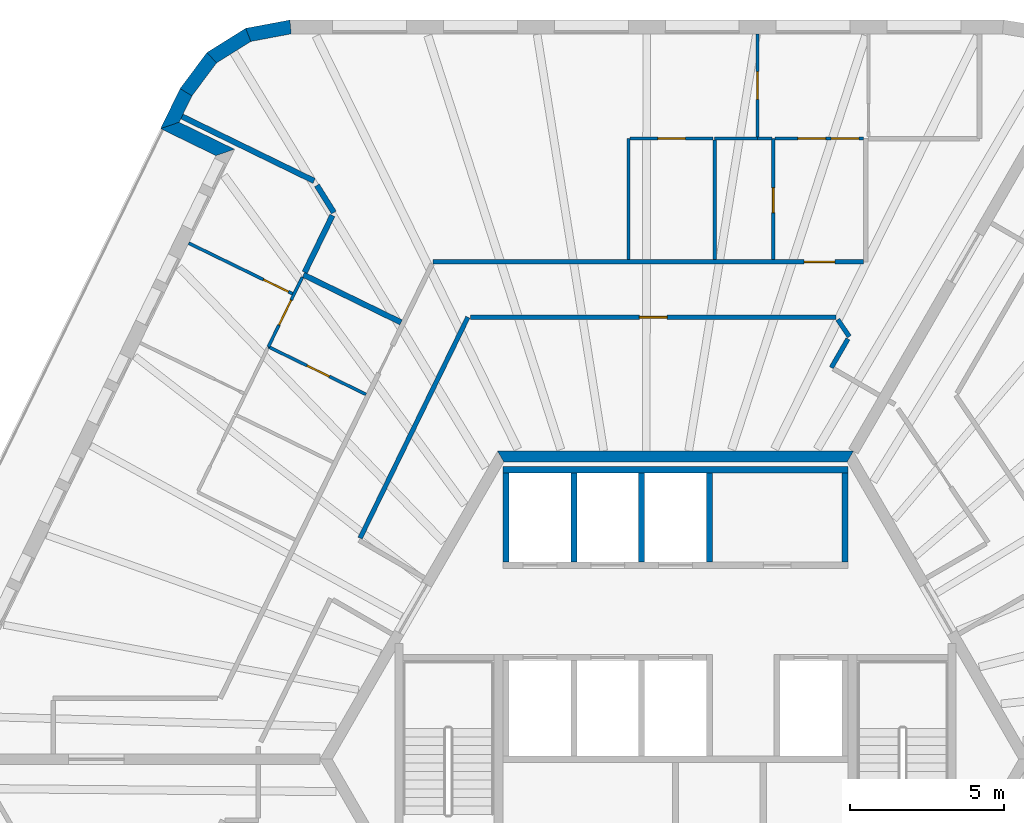
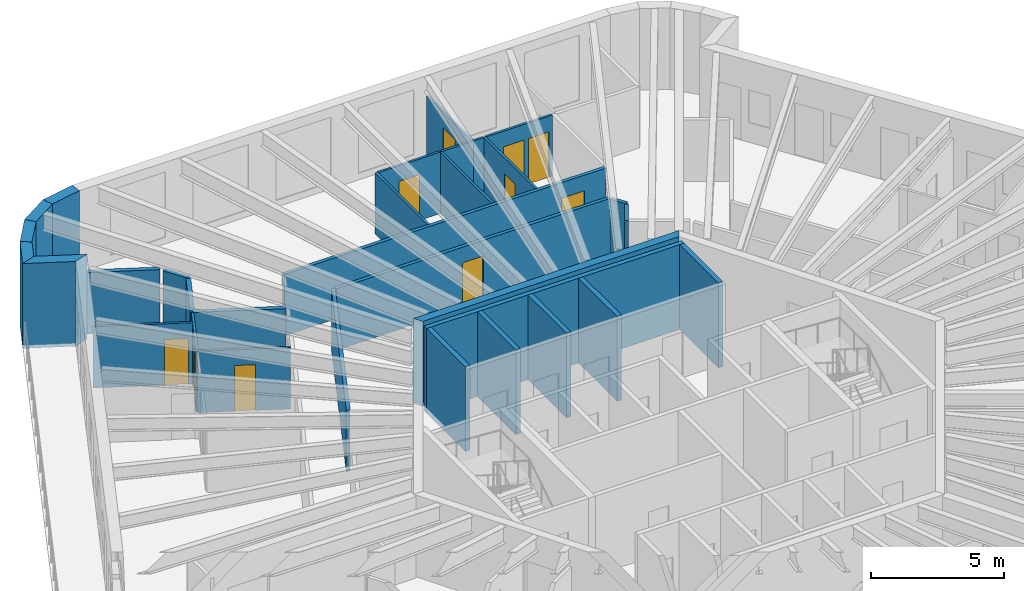
# One storey, part 8 of 11: 32 walls, 10 doors, 10 openings.
"""IFC4 building model written with IfcOpenShell, lengths in metres."""

from ifc_helpers import new_model, si_unit, direction, frame, frame_2d, origin, place, context, subcontext, project, spatial, polyline, rectangle, outline, extrude, material, layer, layer_set, type_object, element, fill, save


model = new_model("IFC4")

# Units and contexts
model_context = context("Model", 3, precision=1e-05, world=origin(), true_north=direction((0.0, 1.0)))
body_context = subcontext(model_context, "Body", "Model", "MODEL_VIEW")
ifc_project = project(units=[si_unit("LENGTHUNIT", "METRE"), si_unit("AREAUNIT", "SQUARE_METRE"), si_unit("VOLUMEUNIT", "CUBIC_METRE"), si_unit("PLANEANGLEUNIT", "RADIAN"), si_unit("MASSUNIT", "GRAM", prefix="KILO")], contexts=[model_context])

# Site, building, storey
site_placement = place(None, origin())
site = spatial("IfcSite", under=ifc_project, at=site_placement, CompositionType="ELEMENT")
building_placement = place(site_placement, origin())
building = spatial("IfcBuilding", under=site, at=building_placement, Name="Tarnside Tower", CompositionType="ELEMENT")
storey_placement = place(building_placement, frame((0.0, 0.0, 357.300048828125)))
storey = spatial("IfcBuildingStorey", under=building, at=storey_placement, Name="L86", CompositionType="ELEMENT", Elevation=357.300048828125)

# Wall
ifc_material_1 = material(Name="Gypsum board partition on steel studs", Category="steel")
ifc_layer_1 = layer(ifc_material_1, 0.10009765625)
ifc_layer_set_1 = layer_set([ifc_layer_1], Name="Bathroom wall 100")
wall_type_1 = type_object("IfcWallType", Name="Bathroom wall 100", PredefinedType="PARTITIONING", material=ifc_layer_set_1)
wall_1_placement = place(storey_placement, frame((1.274658203125, 20.14990234375, 0.0), z_axis=(0.0, 0.0, 1.0), x_axis=(1.0, 0.0, 0.0)))
element("IfcWall", 1, at=wall_1_placement, inside=storey, type_object=wall_type_1, Name="Bathroom wall 27070", PredefinedType="PARTITIONING", context=body_context, shape_type="SweptSolid", body=[
    extrude(rectangle(XDim=1.395751953125, YDim=0.10009765625, at=frame_2d((0.69775390625, 0.0))), origin(), (0.0, 0.0, 1.0), 2.820068359375),
])

# Wall, opening, door
wall_2_placement = place(storey_placement, frame((3.174560546875, 20.14990234375, 0.0), z_axis=(0.0, 0.0, 1.0), x_axis=(0.0, -1.0, 0.0)))
wall_2 = element("IfcWall", 2, at=wall_2_placement, inside=storey, type_object=wall_type_1, Name="Bathroom wall 27078", PredefinedType="PARTITIONING", context=body_context, shape_type="SweptSolid", body=[
    extrude(rectangle(XDim=3.9248046875, YDim=0.10009765625, at=frame_2d((1.96240234375, 0.0))), origin(), (0.0, 0.0, 1.0), 2.820068359375),
])
opening_1_placement = place(wall_2_placement, frame((1.60009765625, 0.0, 0.0)))
opening_1 = element("IfcOpeningElement", 3, at=opening_1_placement, cuts=wall_2, Name="Opening D-B1", PredefinedType="OPENING", context=body_context, shape_type="SweptSolid", body=[
    extrude(rectangle(XDim=0.800048828125, YDim=2.10009765625, at=frame_2d((0.39990234375, 1.050048828125))), frame((0.0, 0.06005859375, 0.0), z_axis=(0.0, -1.0, 0.0), x_axis=(1.0, 0.0, 0.0)), (0.0, 0.0, 1.0), 0.1201171875),
])
ifc_material_2 = material(Name="Timber door leaf", Category="wood")
door_type_1 = type_object("IfcDoorType", Name="Bathroom door 800", OperationType="NOTDEFINED", PredefinedType="DOOR", material=ifc_material_2)
door_1_placement = place(opening_1_placement, origin())
door_1 = element("IfcDoor", 4, at=door_1_placement, inside=storey, type_object=door_type_1, Name="Bathroom door 27002", OperationType="SINGLE_SWING_LEFT", OverallHeight=2.10009765625, OverallWidth=0.800048828125, PredefinedType="DOOR", context=body_context, shape_type="SweptSolid", body=[
    extrude(rectangle(XDim=0.800048828125, YDim=2.10009765625, at=frame_2d((0.39990234375, 1.050048828125))), frame((0.0, 0.02490234375, 0.0), z_axis=(0.0, -1.0, 0.0), x_axis=(1.0, 0.0, 0.0)), (0.0, 0.0, 1.0), 0.050048828125),
])
fill(opening_1, door_1)

# Walls
wall_3_placement = place(storey_placement, frame((3.126708984375, 20.14990234375, 0.0), z_axis=(0.0, 0.0, 1.0), x_axis=(-1.0, 0.0, 0.0)))
element("IfcWall", 5, at=wall_3_placement, inside=storey, type_object=wall_type_1, Name="Bathroom wall 27080", PredefinedType="PARTITIONING", context=body_context, shape_type="SweptSolid", body=[
    extrude(rectangle(XDim=0.458251953125, YDim=0.10009765625, at=frame_2d((0.22900390625, 0.0))), origin(), (0.0, 0.0, 1.0), 2.820068359375),
])
wall_4_placement = place(storey_placement, frame((1.274658203125, 20.10009765625, 0.0), z_axis=(0.0, 0.0, 1.0), x_axis=(0.0, -1.0, 0.0)))
element("IfcWall", 6, at=wall_4_placement, inside=storey, type_object=wall_type_1, Name="Bathroom wall 27081", PredefinedType="PARTITIONING", context=body_context, shape_type="SweptSolid", body=[
    extrude(rectangle(XDim=3.875, YDim=0.10009765625, at=frame_2d((1.9375, 0.0))), origin(), (0.0, 0.0, 1.0), 2.820068359375),
])

# Wall, opening, door
wall_5_placement = place(storey_placement, frame((-13.21728515625, 13.391357421875, 0.0), z_axis=(0.0, 0.0, 1.0), x_axis=(0.898775101867, -0.438409986501, 0.0)))
wall_5 = element("IfcWall", 7, at=wall_5_placement, inside=storey, type_object=wall_type_1, Name="Bathroom wall 27087", PredefinedType="PARTITIONING", context=body_context, shape_type="SweptSolid", body=[
    extrude(rectangle(XDim=3.525146484375, YDim=0.10009765625, at=frame_2d((1.7626953125, 0.0))), origin(), (0.0, 0.0, 1.0), 2.820068359375),
])
opening_2_placement = place(wall_5_placement, frame((1.39990234375, 0.0, 0.0)))
opening_2 = element("IfcOpeningElement", 8, at=opening_2_placement, cuts=wall_5, Name="Opening D-B1", PredefinedType="OPENING", context=body_context, shape_type="SweptSolid", body=[
    extrude(rectangle(XDim=0.800048828125, YDim=2.10009765625, at=frame_2d((0.39990234375, 1.050048828125))), frame((0.0, 0.06005859375, 0.0), z_axis=(0.0, -1.0, 0.0), x_axis=(1.0, 0.0, 0.0)), (0.0, 0.0, 1.0), 0.1201171875),
])
door_2_placement = place(opening_2_placement, origin())
door_2 = element("IfcDoor", 9, at=door_2_placement, inside=storey, type_object=door_type_1, Name="Bathroom door 27012", OperationType="SINGLE_SWING_LEFT", OverallHeight=2.10009765625, OverallWidth=0.800048828125, PredefinedType="DOOR", context=body_context, shape_type="SweptSolid", body=[
    extrude(rectangle(XDim=0.800048828125, YDim=2.10009765625, at=frame_2d((0.39990234375, 1.050048828125))), frame((0.0, 0.02490234375, 0.0), z_axis=(0.0, -1.0, 0.0), x_axis=(1.0, 0.0, 0.0)), (0.0, 0.0, 1.0), 0.050048828125),
])
fill(opening_2, door_2)

# Wall
ifc_material_3 = material(Name="Concrete C50/60", Category="concrete")
ifc_layer_2 = layer(ifc_material_3, 0.35009765625)
ifc_layer_set_2 = layer_set([ifc_layer_2], Name="Core wall Z4 350 C50/60")
wall_type_2 = type_object("IfcWallType", Name="Core wall Z4 350 C50/60", PredefinedType="SHEAR", material=ifc_layer_set_2)
wall_6_placement = place(storey_placement, frame((5.672607421875, 9.824951171875, -0.150146484375), z_axis=(0.0, 0.0, 1.0), x_axis=(-1.0, 0.0, 0.0)))
element("IfcWall", 10, at=wall_6_placement, inside=storey, type_object=wall_type_2, Name="L86 core wall face 1", PredefinedType="SHEAR", context=body_context, shape_type="SweptSolid", body=[
    extrude(outline(polyline([(-0.10107421875, -0.175048828125), (11.4462890625, -0.175048828125), (11.244140625, 0.175048828125), (0.10107421875, 0.175048828125), (-0.10107421875, -0.175048828125)])), origin(), (0.0, 0.0, 1.0), 3.900146484375),
])

# Wall, opening, door
ifc_layer_3 = layer(ifc_material_1, 0.14990234375)
ifc_layer_set_3 = layer_set([ifc_layer_3], Name="Corridor wall 150 EI 60")
wall_type_3 = type_object("IfcWallType", Name="Corridor wall 150 EI 60", PredefinedType="PARTITIONING", material=ifc_layer_set_3)
wall_7_placement = place(storey_placement, frame((6.099609375, 16.14990234375, 0.0), z_axis=(0.0, 0.0, 1.0), x_axis=(-1.0, 0.0, 0.0)))
wall_7 = element("IfcWall", 11, at=wall_7_placement, inside=storey, type_object=wall_type_3, Name="Corridor wall 27001", PredefinedType="PARTITIONING", context=body_context, shape_type="SweptSolid", body=[
    extrude(rectangle(XDim=13.966064453125, YDim=0.14990234375, at=frame_2d((6.98291015625, 0.0))), origin(), (0.0, 0.0, 1.0), 2.820068359375),
])
opening_3_placement = place(wall_7_placement, frame((0.925048828125, 0.0, 0.0)))
opening_3 = element("IfcOpeningElement", 12, at=opening_3_placement, cuts=wall_7, Name="Opening D-E1", PredefinedType="OPENING", context=body_context, shape_type="SweptSolid", body=[
    extrude(rectangle(XDim=1.0, YDim=2.10009765625, at=frame_2d((0.5, 1.050048828125))), frame((0.0, 0.0849609375, 0.0), z_axis=(0.0, -1.0, 0.0), x_axis=(1.0, 0.0, 0.0)), (0.0, 0.0, 1.0), 0.169921875),
])
door_type_2 = type_object("IfcDoorType", Name="Unit entrance door 1000 FD30S", OperationType="NOTDEFINED", PredefinedType="DOOR", material=ifc_material_2)
door_3_placement = place(opening_3_placement, origin())
door_3 = element("IfcDoor", 13, at=door_3_placement, inside=storey, type_object=door_type_2, Name="Unit door 27001", OperationType="SINGLE_SWING_RIGHT", OverallHeight=2.10009765625, OverallWidth=1.0, PredefinedType="DOOR", context=body_context, shape_type="SweptSolid", body=[
    extrude(rectangle(XDim=1.0, YDim=2.10009765625, at=frame_2d((0.5, 1.050048828125))), frame((0.0, 0.02490234375, 0.0), z_axis=(0.0, -1.0, 0.0), x_axis=(1.0, 0.0, 0.0)), (0.0, 0.0, 1.0), 0.050048828125),
])
fill(opening_3, door_3)

# Wall
wall_8_placement = place(storey_placement, frame((-10.23974609375, 7.177734375, 0.0), z_axis=(0.0, 0.0, 1.0), x_axis=(0.438356120288, 0.898801375058, 0.0)))
element("IfcWall", 14, at=wall_8_placement, inside=storey, type_object=wall_type_3, Name="Corridor wall 27019", PredefinedType="PARTITIONING", context=body_context, shape_type="SweptSolid", body=[
    extrude(rectangle(XDim=7.97998046875, YDim=0.14990234375, at=frame_2d((3.989990234375, 0.0))), origin(), (0.0, 0.0, 1.0), 2.820068359375),
])

# Wall, opening, door
wall_9_placement = place(storey_placement, frame((-6.658203125, 14.35009765625, 0.0), z_axis=(0.0, 0.0, 1.0), x_axis=(1.0, 0.0, 0.0)))
wall_9 = element("IfcWall", 15, at=wall_9_placement, inside=storey, type_object=wall_type_3, Name="Corridor wall 27020", PredefinedType="PARTITIONING", context=body_context, shape_type="SweptSolid", body=[
    extrude(rectangle(XDim=11.875732421875, YDim=0.14990234375, at=frame_2d((5.93798828125, 0.0))), origin(), (0.0, 0.0, 1.0), 2.820068359375),
])
opening_4_placement = place(wall_9_placement, frame((5.48779296875, 0.0, 0.0)))
opening_4 = element("IfcOpeningElement", 16, at=opening_4_placement, cuts=wall_9, Name="Opening D-S1", PredefinedType="OPENING", context=body_context, shape_type="SweptSolid", body=[
    extrude(rectangle(XDim=0.89990234375, YDim=2.10009765625, at=frame_2d((0.449951171875, 1.050048828125))), frame((0.0, 0.0849609375, 0.0), z_axis=(0.0, -1.0, 0.0), x_axis=(1.0, 0.0, 0.0)), (0.0, 0.0, 1.0), 0.169921875),
])
door_type_3 = type_object("IfcDoorType", Name="Service room door 900 FD30S", OperationType="NOTDEFINED", PredefinedType="DOOR", material=ifc_material_2)
door_4_placement = place(opening_4_placement, origin())
door_4 = element("IfcDoor", 17, at=door_4_placement, inside=storey, type_object=door_type_3, Name="Service door 27060", OperationType="SINGLE_SWING_RIGHT", OverallHeight=2.10009765625, OverallWidth=0.89990234375, PredefinedType="DOOR", context=body_context, shape_type="SweptSolid", body=[
    extrude(rectangle(XDim=0.89990234375, YDim=2.10009765625, at=frame_2d((0.449951171875, 1.050048828125))), frame((0.0, 0.02490234375, 0.0), z_axis=(0.0, -1.0, 0.0), x_axis=(1.0, 0.0, 0.0)), (0.0, 0.0, 1.0), 0.050048828125),
])
fill(opening_4, door_4)

# Walls
wall_10_placement = place(storey_placement, frame((5.26806640625, 14.27490234375, 0.0), z_axis=(0.0, 0.0, 1.0), x_axis=(0.559416337009, -0.828886820915, 0.0)))
element("IfcWall", 18, at=wall_10_placement, inside=storey, type_object=wall_type_3, Name="Corridor wall 27021", PredefinedType="PARTITIONING", context=body_context, shape_type="SweptSolid", body=[
    extrude(rectangle(XDim=0.667724609375, YDim=0.14990234375, at=frame_2d((0.333984375, 0.0))), origin(), (0.0, 0.0, 1.0), 2.820068359375),
])
wall_11_placement = place(storey_placement, frame((5.599853515625, 13.649169921875, 0.0), z_axis=(0.0, 0.0, 1.0), x_axis=(-0.500126914667, -0.865952117167, 0.0)))
element("IfcWall", 19, at=wall_11_placement, inside=storey, type_object=wall_type_3, Name="Corridor wall 27022", PredefinedType="PARTITIONING", context=body_context, shape_type="SweptSolid", body=[
    extrude(rectangle(XDim=1.079833984375, YDim=0.14990234375, at=frame_2d((0.5400390625, 0.0))), origin(), (0.0, 0.0, 1.0), 2.820068359375),
])
ifc_layer_4 = layer(ifc_material_1, 0.179931640625)
ifc_layer_set_4 = layer_set([ifc_layer_4], Name="Demising wall 180 EI 60")
wall_type_4 = type_object("IfcWallType", Name="Demising wall 180 EI 60", PredefinedType="PARTITIONING", material=ifc_layer_set_4)
wall_12_placement = place(storey_placement, frame((-12.07763671875, 15.72802734375, 0.0), z_axis=(0.0, 0.0, 1.0), x_axis=(0.898802391248, -0.438354036696, 0.0)))
element("IfcWall", 20, at=wall_12_placement, inside=storey, type_object=wall_type_4, Name="Demising wall 27074", PredefinedType="PARTITIONING", context=body_context, shape_type="SweptSolid", body=[
    extrude(rectangle(XDim=3.52490234375, YDim=0.179931640625, at=frame_2d((1.762451171875, 0.0))), origin(), (0.0, 0.0, 1.0), 2.820068359375),
])
wall_13_placement = place(storey_placement, frame((-16.02392578125, 20.867919921875, 0.0), z_axis=(0.0, 0.0, 1.0), x_axis=(0.898790554329, -0.438378306317, 0.0)))
element("IfcWall", 21, at=wall_13_placement, inside=storey, type_object=wall_type_4, Name="Demising wall 27075", PredefinedType="PARTITIONING", context=body_context, shape_type="SweptSolid", body=[
    extrude(rectangle(XDim=4.775634765625, YDim=0.179931640625, at=frame_2d((2.3876953125, 0.0))), origin(), (0.0, 0.0, 1.0), 2.820068359375),
])
wall_14_placement = place(storey_placement, frame((-11.6416015625, 18.63037109375, 0.0), z_axis=(0.0, 0.0, 1.0), x_axis=(0.530041214548, -0.847971880949, 0.0)))
element("IfcWall", 22, at=wall_14_placement, inside=storey, type_object=wall_type_4, Name="Demising wall 27076", PredefinedType="PARTITIONING", context=body_context, shape_type="SweptSolid", body=[
    extrude(rectangle(XDim=1.0380859375, YDim=0.179931640625, at=frame_2d((0.51904296875, 0.0))), origin(), (0.0, 0.0, 1.0), 2.820068359375),
])
wall_15_placement = place(storey_placement, frame((-11.137939453125, 17.654541015625, 0.0), z_axis=(0.0, 0.0, 1.0), x_axis=(-0.438409602339, -0.898775289256, 0.0)))
element("IfcWall", 23, at=wall_15_placement, inside=storey, type_object=wall_type_4, Name="Demising wall 27077", PredefinedType="PARTITIONING", context=body_context, shape_type="SweptSolid", body=[
    extrude(rectangle(XDim=2.05712890625, YDim=0.179931640625, at=frame_2d((1.028564453125, 0.0))), origin(), (0.0, 0.0, 1.0), 2.820068359375),
])
ifc_material_4 = material(Name="Concrete C40/50", Category="concrete")
ifc_layer_5 = layer(ifc_material_4, 0.199951171875)
ifc_layer_set_5 = layer_set([ifc_layer_5], Name="Lift shaft wall 200 C40/50")
wall_type_5 = type_object("IfcWallType", Name="Lift shaft wall 200 C40/50", PredefinedType="SHEAR", material=ifc_layer_set_5)
wall_16_placement = place(storey_placement, frame((-5.60009765625, 9.39990234375, -0.25), z_axis=(0.0, 0.0, 1.0), x_axis=(1.0, 0.0, 0.0)))
element("IfcWall", 24, at=wall_16_placement, inside=storey, type_object=wall_type_5, Name="L86 lift shaft back wall R1", PredefinedType="SHEAR", context=body_context, shape_type="SweptSolid", body=[
    extrude(rectangle(XDim=11.2001953125, YDim=0.199951171875, at=frame_2d((5.60009765625, 0.0))), origin(), (0.0, 0.0, 1.0), 3.89990234375),
])
for number, where, z_axis, x_axis, name in (
    (25, (-5.5, 6.39990234375, -0.25), (0.0, 0.0, 1.0), (0.0, 1.0, 0.0), "L86 lift shaft partition R11"),
    (26, (-3.300048828125, 6.39990234375, -0.25), (0.0, 0.0, 1.0), (0.0, 1.0, 0.0), "L86 lift shaft partition R12"),
    (27, (-1.10009765625, 6.39990234375, -0.25), (0.0, 0.0, 1.0), (0.0, 1.0, 0.0), "L86 lift shaft partition R13"),
    (28, (1.10009765625, 6.39990234375, -0.25), (0.0, 0.0, 1.0), (0.0, 1.0, 0.0), "L86 lift shaft partition R14"),
    (29, (5.5, 6.39990234375, -0.25), (0.0, 0.0, 1.0), (0.0, 1.0, 0.0), "L86 lift shaft partition R16"),
):
    element("IfcWall", number, at=place(storey_placement, frame(where, z_axis=z_axis, x_axis=x_axis)), inside=storey, type_object=wall_type_5, Name=name, PredefinedType="SHEAR", context=body_context, shape_type="SweptSolid", body=[
        extrude(rectangle(XDim=2.900146484375, YDim=0.199951171875, at=frame_2d((1.4501953125, 0.0))), origin(), (0.0, 0.0, 1.0), 3.89990234375),
    ])
ifc_material_5 = material(Name="Dark zinc cladding")
ifc_layer_6 = layer(ifc_material_5, 0.10205078125)
ifc_material_6 = material(Name="Concrete C60/75 precast", Category="concrete")
ifc_layer_7 = layer(ifc_material_6, 0.248046875)
ifc_material_7 = material(Name="Mineral wool insulation")
ifc_layer_8 = layer(ifc_material_7, 0.10009765625)
ifc_layer_set_6 = layer_set([ifc_layer_6, ifc_layer_7, ifc_layer_8], Name="Loggia wall 450 zinc faced")
wall_type_6 = type_object("IfcWallType", Name="Loggia wall 450 zinc faced", PredefinedType="SOLIDWALL", material=ifc_layer_set_6)
wall_17_placement = place(storey_placement, frame((-15.890380859375, 21.65478515625, -0.150146484375), z_axis=(0.0, 0.0, 1.0), x_axis=(-0.438319390103, -0.898819287877, 0.0)))
element("IfcWall", 30, at=wall_17_placement, inside=storey, type_object=wall_type_6, Name="Tube wall L86 F2 stub 04", PredefinedType="SOLIDWALL", context=body_context, shape_type="SweptSolid", body=[
    extrude(outline(polyline([(-0.02099609375, -0.22509765625), (1.4248046875, -0.22509765625), (0.974609375, 0.22509765625), (0.02099609375, 0.22509765625), (-0.02099609375, -0.22509765625)])), origin(), (0.0, 0.0, 1.0), 3.900146484375),
])
wall_18_placement = place(storey_placement, frame((-16.416259765625, 20.576416015625, -0.150146484375), z_axis=(0.0, 0.0, 1.0), x_axis=(0.898730898244, -0.438500595829, 0.0)))
element("IfcWall", 31, at=wall_18_placement, inside=storey, type_object=wall_type_6, Name="Tube wall L86 F2 return 05", PredefinedType="SOLIDWALL", context=body_context, shape_type="SweptSolid", body=[
    extrude(outline(polyline([(-0.224853515625, -0.22509765625), (1.77490234375, -0.22509765625), (2.22509765625, 0.22509765625), (0.224853515625, 0.22509765625), (-0.224853515625, -0.22509765625)])), origin(), (0.0, 0.0, 1.0), 3.900146484375),
])

# Wall, opening, door
ifc_layer_9 = layer(ifc_material_1, 0.10009765625)
ifc_layer_set_7 = layer_set([ifc_layer_9], Name="Partition 100")
wall_type_7 = type_object("IfcWallType", Name="Partition 100", PredefinedType="PARTITIONING", material=ifc_layer_set_7)
wall_19_placement = place(storey_placement, frame((2.66845703125, 20.199951171875, 0.0), z_axis=(0.0, 0.0, 1.0), x_axis=(0.0, 1.0, 0.0)))
wall_19 = element("IfcWall", 32, at=wall_19_placement, inside=storey, type_object=wall_type_7, Name="Partition wall 27071", PredefinedType="PARTITIONING", context=body_context, shape_type="SweptSolid", body=[
    extrude(rectangle(XDim=3.35009765625, YDim=0.10009765625, at=frame_2d((1.675048828125, 0.0))), origin(), (0.0, 0.0, 1.0), 2.820068359375),
])
opening_5_placement = place(wall_19_placement, frame((1.22509765625, 0.0, 0.0)))
opening_5 = element("IfcOpeningElement", 33, at=opening_5_placement, cuts=wall_19, Name="Opening D-I1", PredefinedType="OPENING", context=body_context, shape_type="SweptSolid", body=[
    extrude(rectangle(XDim=0.89990234375, YDim=2.10009765625, at=frame_2d((0.449951171875, 1.050048828125))), frame((0.0, 0.06005859375, 0.0), z_axis=(0.0, -1.0, 0.0), x_axis=(1.0, 0.0, 0.0)), (0.0, 0.0, 1.0), 0.1201171875),
])
door_type_4 = type_object("IfcDoorType", Name="Internal door 900", OperationType="NOTDEFINED", PredefinedType="DOOR", material=ifc_material_2)
door_5_placement = place(opening_5_placement, origin())
door_5 = element("IfcDoor", 34, at=door_5_placement, inside=storey, type_object=door_type_4, Name="Internal door 27057", OperationType="SINGLE_SWING_LEFT", OverallHeight=2.10009765625, OverallWidth=0.89990234375, PredefinedType="DOOR", context=body_context, shape_type="SweptSolid", body=[
    extrude(rectangle(XDim=0.89990234375, YDim=2.10009765625, at=frame_2d((0.449951171875, 1.050048828125))), frame((0.0, 0.02490234375, 0.0), z_axis=(0.0, -1.0, 0.0), x_axis=(1.0, 0.0, 0.0)), (0.0, 0.0, 1.0), 0.050048828125),
])
fill(opening_5, door_5)

# Wall
wall_20_placement = place(storey_placement, frame((-1.525390625, 16.22509765625, 0.0), z_axis=(0.0, 0.0, 1.0), x_axis=(0.0, 1.0, 0.0)))
element("IfcWall", 35, at=wall_20_placement, inside=storey, type_object=wall_type_7, Name="Partition wall 27072", PredefinedType="PARTITIONING", context=body_context, shape_type="SweptSolid", body=[
    extrude(rectangle(XDim=3.9248046875, YDim=0.10009765625, at=frame_2d((1.96240234375, 0.0))), origin(), (0.0, 0.0, 1.0), 2.820068359375),
])

# Wall, opening, door
wall_21_placement = place(storey_placement, frame((-1.475341796875, 20.14990234375, 0.0), z_axis=(0.0, 0.0, 1.0), x_axis=(1.0, 0.0, 0.0)))
wall_21 = element("IfcWall", 36, at=wall_21_placement, inside=storey, type_object=wall_type_7, Name="Partition wall 27073", PredefinedType="PARTITIONING", context=body_context, shape_type="SweptSolid", body=[
    extrude(rectangle(XDim=2.699951171875, YDim=0.10009765625, at=frame_2d((1.35009765625, 0.0))), origin(), (0.0, 0.0, 1.0), 2.820068359375),
])
opening_6_placement = place(wall_21_placement, frame((0.89990234375, 0.0, 0.0)))
opening_6 = element("IfcOpeningElement", 37, at=opening_6_placement, cuts=wall_21, Name="Opening D-I1", PredefinedType="OPENING", context=body_context, shape_type="SweptSolid", body=[
    extrude(rectangle(XDim=0.89990234375, YDim=2.10009765625, at=frame_2d((0.449951171875, 1.050048828125))), frame((0.0, 0.06005859375, 0.0), z_axis=(0.0, -1.0, 0.0), x_axis=(1.0, 0.0, 0.0)), (0.0, 0.0, 1.0), 0.1201171875),
])
door_6_placement = place(opening_6_placement, origin())
door_6 = element("IfcDoor", 38, at=door_6_placement, inside=storey, type_object=door_type_4, Name="Internal door 27010", OperationType="SINGLE_SWING_LEFT", OverallHeight=2.10009765625, OverallWidth=0.89990234375, PredefinedType="DOOR", context=body_context, shape_type="SweptSolid", body=[
    extrude(rectangle(XDim=0.89990234375, YDim=2.10009765625, at=frame_2d((0.449951171875, 1.050048828125))), frame((0.0, 0.02490234375, 0.0), z_axis=(0.0, -1.0, 0.0), x_axis=(1.0, 0.0, 0.0)), (0.0, 0.0, 1.0), 0.050048828125),
])
fill(opening_6, door_6)

# Wall, openings, doors
wall_22_placement = place(storey_placement, frame((6.1015625, 20.14990234375, 0.0), z_axis=(0.0, 0.0, 1.0), x_axis=(-1.0, 0.0, 0.0)))
wall_22 = element("IfcWall", 39, at=wall_22_placement, inside=storey, type_object=wall_type_7, Name="Partition wall 27079", PredefinedType="PARTITIONING", context=body_context, shape_type="SweptSolid", body=[
    extrude(rectangle(XDim=2.87890625, YDim=0.10009765625, at=frame_2d((1.439453125, 0.0))), origin(), (0.0, 0.0, 1.0), 2.820068359375),
])
opening_7_placement = place(wall_22_placement, frame((0.14990234375, 0.0, 0.0)))
opening_7 = element("IfcOpeningElement", 40, at=opening_7_placement, cuts=wall_22, Name="Opening D-I1", PredefinedType="OPENING", context=body_context, shape_type="SweptSolid", body=[
    extrude(rectangle(XDim=0.89990234375, YDim=2.10009765625, at=frame_2d((0.449951171875, 1.050048828125))), frame((0.0, 0.06005859375, 0.0), z_axis=(0.0, -1.0, 0.0), x_axis=(1.0, 0.0, 0.0)), (0.0, 0.0, 1.0), 0.1201171875),
])
opening_8_placement = place(wall_22_placement, frame((1.22705078125, 0.0, 0.0)))
opening_8 = element("IfcOpeningElement", 41, at=opening_8_placement, cuts=wall_22, Name="Opening D-I1", PredefinedType="OPENING", context=body_context, shape_type="SweptSolid", body=[
    extrude(rectangle(XDim=0.89990234375, YDim=2.10009765625, at=frame_2d((0.449951171875, 1.050048828125))), frame((0.0, 0.06005859375, 0.0), z_axis=(0.0, -1.0, 0.0), x_axis=(1.0, 0.0, 0.0)), (0.0, 0.0, 1.0), 0.1201171875),
])
door_7_placement = place(opening_7_placement, origin())
door_7 = element("IfcDoor", 42, at=door_7_placement, inside=storey, type_object=door_type_4, Name="Internal door 27005", OperationType="SINGLE_SWING_LEFT", OverallHeight=2.10009765625, OverallWidth=0.89990234375, PredefinedType="DOOR", context=body_context, shape_type="SweptSolid", body=[
    extrude(rectangle(XDim=0.89990234375, YDim=2.10009765625, at=frame_2d((0.449951171875, 1.050048828125))), frame((0.0, 0.02490234375, 0.0), z_axis=(0.0, -1.0, 0.0), x_axis=(1.0, 0.0, 0.0)), (0.0, 0.0, 1.0), 0.050048828125),
])
fill(opening_7, door_7)
door_8_placement = place(opening_8_placement, origin())
door_8 = element("IfcDoor", 43, at=door_8_placement, inside=storey, type_object=door_type_4, Name="Internal door 27009", OperationType="SINGLE_SWING_LEFT", OverallHeight=2.10009765625, OverallWidth=0.89990234375, PredefinedType="DOOR", context=body_context, shape_type="SweptSolid", body=[
    extrude(rectangle(XDim=0.89990234375, YDim=2.10009765625, at=frame_2d((0.449951171875, 1.050048828125))), frame((0.0, 0.02490234375, 0.0), z_axis=(0.0, -1.0, 0.0), x_axis=(1.0, 0.0, 0.0)), (0.0, 0.0, 1.0), 0.050048828125),
])
fill(opening_8, door_8)

# Wall, opening, door
wall_23_placement = place(storey_placement, frame((-12.1162109375, 15.649169921875, 0.0), z_axis=(0.0, 0.0, 1.0), x_axis=(-0.438335623405, -0.898811371342, 0.0)))
wall_23 = element("IfcWall", 44, at=wall_23_placement, inside=storey, type_object=wall_type_7, Name="Partition wall 27088", PredefinedType="PARTITIONING", context=body_context, shape_type="SweptSolid", body=[
    extrude(rectangle(XDim=2.51416015625, YDim=0.10009765625, at=frame_2d((1.257080078125, 0.0))), origin(), (0.0, 0.0, 1.0), 2.820068359375),
])
opening_9_placement = place(wall_23_placement, frame((0.822265625, 0.0, 0.0)))
opening_9 = element("IfcOpeningElement", 45, at=opening_9_placement, cuts=wall_23, Name="Opening D-I1", PredefinedType="OPENING", context=body_context, shape_type="SweptSolid", body=[
    extrude(rectangle(XDim=0.89990234375, YDim=2.10009765625, at=frame_2d((0.449951171875, 1.050048828125))), frame((0.0, 0.06005859375, 0.0), z_axis=(0.0, -1.0, 0.0), x_axis=(1.0, 0.0, 0.0)), (0.0, 0.0, 1.0), 0.1201171875),
])
door_9_placement = place(opening_9_placement, origin())
door_9 = element("IfcDoor", 46, at=door_9_placement, inside=storey, type_object=door_type_4, Name="Internal door 27015", OperationType="SINGLE_SWING_LEFT", OverallHeight=2.10009765625, OverallWidth=0.89990234375, PredefinedType="DOOR", context=body_context, shape_type="SweptSolid", body=[
    extrude(rectangle(XDim=0.89990234375, YDim=2.10009765625, at=frame_2d((0.449951171875, 1.050048828125))), frame((0.0, 0.02490234375, 0.0), z_axis=(0.0, -1.0, 0.0), x_axis=(1.0, 0.0, 0.0)), (0.0, 0.0, 1.0), 0.050048828125),
])
fill(opening_9, door_9)

wall_24_placement = place(storey_placement, frame((-15.804443359375, 16.755615234375, 0.0), z_axis=(0.0, 0.0, 1.0), x_axis=(0.89878471246, -0.438390283479, 0.0)))
wall_24 = element("IfcWall", 47, at=wall_24_placement, inside=storey, type_object=wall_type_7, Name="Partition wall 27092", PredefinedType="PARTITIONING", context=body_context, shape_type="SweptSolid", body=[
    extrude(rectangle(XDim=3.750244140625, YDim=0.10009765625, at=frame_2d((1.875, 0.0))), origin(), (0.0, 0.0, 1.0), 2.820068359375),
])
opening_10_placement = place(wall_24_placement, frame((2.699951171875, 0.0, 0.0)))
opening_10 = element("IfcOpeningElement", 48, at=opening_10_placement, cuts=wall_24, Name="Opening D-I1", PredefinedType="OPENING", context=body_context, shape_type="SweptSolid", body=[
    extrude(rectangle(XDim=0.89990234375, YDim=2.10009765625, at=frame_2d((0.449951171875, 1.050048828125))), frame((0.0, 0.06005859375, 0.0), z_axis=(0.0, -1.0, 0.0), x_axis=(1.0, 0.0, 0.0)), (0.0, 0.0, 1.0), 0.1201171875),
])
door_10_placement = place(opening_10_placement, origin())
door_10 = element("IfcDoor", 49, at=door_10_placement, inside=storey, type_object=door_type_4, Name="Internal door 27018", OperationType="SINGLE_SWING_RIGHT", OverallHeight=2.10009765625, OverallWidth=0.89990234375, PredefinedType="DOOR", context=body_context, shape_type="SweptSolid", body=[
    extrude(rectangle(XDim=0.89990234375, YDim=2.10009765625, at=frame_2d((0.449951171875, 1.050048828125))), frame((0.0, 0.02490234375, 0.0), z_axis=(0.0, -1.0, 0.0), x_axis=(1.0, 0.0, 0.0)), (0.0, 0.0, 1.0), 0.050048828125),
])
fill(opening_10, door_10)

# Walls
ifc_material_8 = material(Name="Facing brick", Category="masonry")
ifc_layer_10 = layer(ifc_material_8, 0.10205078125)
ifc_layer_11 = layer(ifc_material_6, 0.248046875)
ifc_layer_12 = layer(ifc_material_7, 0.10009765625)
ifc_layer_set_8 = layer_set([ifc_layer_10, ifc_layer_11, ifc_layer_12], Name="Tube wall 450 brick faced")
wall_type_8 = type_object("IfcWallType", Name="Tube wall 450 brick faced", PredefinedType="SOLIDWALL", material=ifc_layer_set_8)
wall_25_placement = place(storey_placement, frame((-12.497314453125, 23.77490234375, -0.150146484375), z_axis=(0.0, 0.0, 1.0), x_axis=(-0.982735447009, -0.185016326824, 0.0)))
element("IfcWall", 50, at=wall_25_placement, inside=storey, type_object=wall_type_8, Name="Tube wall L86 F1 chord 01", PredefinedType="SOLIDWALL", context=body_context, shape_type="SweptSolid", body=[
    extrude(outline(polyline([(-0.02099609375, -0.22509765625), (1.43994140625, -0.22509765625), (1.35498046875, 0.22509765625), (0.02099609375, 0.22509765625), (-0.02099609375, -0.22509765625)])), origin(), (0.0, 0.0, 1.0), 3.900146484375),
])
wall_26_placement = place(storey_placement, frame((-13.87060546875, 23.516357421875, -0.150146484375), z_axis=(0.0, 0.0, 1.0), x_axis=(-0.848106239164, -0.52982620461, 0.0)))
element("IfcWall", 51, at=wall_26_placement, inside=storey, type_object=wall_type_8, Name="Tube wall L86 F1 chord 02", PredefinedType="SOLIDWALL", context=body_context, shape_type="SweptSolid", body=[
    extrude(outline(polyline([(-0.04248046875, -0.22509765625), (1.440185546875, -0.22509765625), (1.355224609375, 0.22509765625), (0.04248046875, 0.22509765625), (-0.04248046875, -0.22509765625)])), origin(), (0.0, 0.0, 1.0), 3.900146484375),
])
wall_27_placement = place(storey_placement, frame((-15.055908203125, 22.77587890625, -0.150146484375), z_axis=(0.0, 0.0, 1.0), x_axis=(-0.597089203515, -0.802174845682, 0.0)))
element("IfcWall", 52, at=wall_27_placement, inside=storey, type_object=wall_type_8, Name="Tube wall L86 F1 chord 03", PredefinedType="SOLIDWALL", context=body_context, shape_type="SweptSolid", body=[
    extrude(outline(polyline([(-0.04248046875, -0.22509765625), (1.41845703125, -0.22509765625), (1.37646484375, 0.22509765625), (0.04248046875, 0.22509765625), (-0.04248046875, -0.22509765625)])), origin(), (0.0, 0.0, 1.0), 3.900146484375),
])

save(model, "model.ifc")
